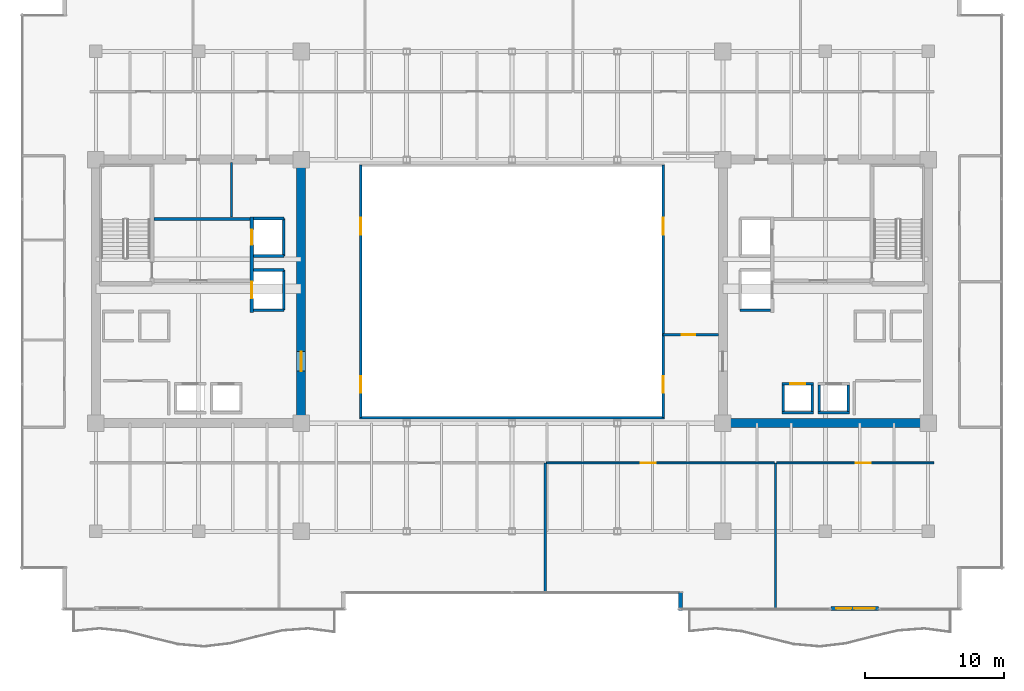
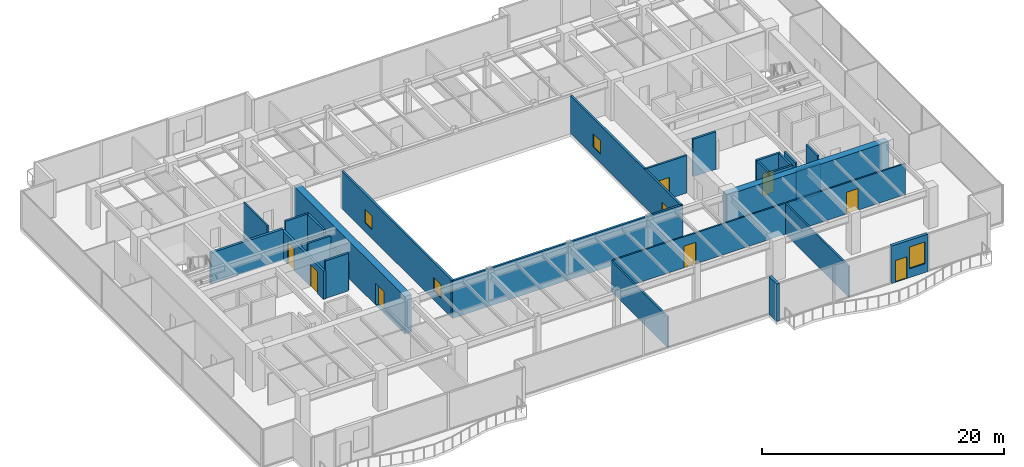
# One storey, part 24 of 30: 29 walls, 8 doors, 5 windows, 13 openings.
"""IFC4 building model written with IfcOpenShell, lengths in metres."""

from ifc_helpers import new_model, si_unit, direction, frame, frame_2d, origin, place, context, subcontext, project, spatial, rectangle, extrude, source, transform, mapped, material, layer, layer_set, type_object, type_shapes, element, fill, save


model = new_model("IFC4")

# Units and contexts
model_context = context("Model", 3, precision=1e-05, world=origin(), true_north=direction((0.0, 1.0)))
body_context = subcontext(model_context, "Body", "Model", "MODEL_VIEW")
ifc_project = project(units=[si_unit("LENGTHUNIT", "METRE"), si_unit("AREAUNIT", "SQUARE_METRE"), si_unit("VOLUMEUNIT", "CUBIC_METRE"), si_unit("PLANEANGLEUNIT", "RADIAN"), si_unit("MASSUNIT", "GRAM", prefix="KILO")], contexts=[model_context])

# Site, building, storey
site_placement = place(None, origin())
site = spatial("IfcSite", under=ifc_project, at=site_placement, CompositionType="ELEMENT")
building_placement = place(site_placement, origin())
building = spatial("IfcBuilding", under=site, at=building_placement, Name="Haelvirn Gate Laboratories", CompositionType="ELEMENT")
storey_placement = place(building_placement, frame((0.0, 0.0, 113.300048828125)))
storey = spatial("IfcBuildingStorey", under=building, at=storey_placement, Name="L27", CompositionType="ELEMENT", Elevation=113.300048828125)

# Wall, openings, door, window
ifc_material_1 = material(Name="Thermally-broken bronze aluminium rainscreen & mineral wool", Category="aluminium")
ifc_layer_1 = layer(ifc_material_1, 0.280029296875, Name="EW-TERR-280")
ifc_layer_set_1 = layer_set([ifc_layer_1], Name="Thermally-broken bronze aluminium rainscreen & mineral wool")
wall_type_1 = type_object("IfcWallType", Name="EW-TERR-280", PredefinedType="STANDARD", material=ifc_layer_set_1)
wall_1_placement = place(storey_placement, frame((60.382080078125, 1.43994140625, 0.0), z_axis=(0.0, 0.0, 1.0), x_axis=(1.0, 0.0, 0.0)))
wall_1 = element("IfcWall", 1, at=wall_1_placement, inside=storey, type_object=wall_type_1, Name="L27 Terrace Access Wall WB-EL-S", PredefinedType="STANDARD", context=body_context, shape_type="SweptSolid", body=[
    extrude(rectangle(XDim=3.455810546875, YDim=0.280029296875, at=frame_2d((1.72802734375, 0.0))), origin(), (0.0, 0.0, 1.0), 3.7900390625),
])
opening_1_placement = place(wall_1_placement, frame((0.3779296875, 0.0, 0.0)))
opening_1 = element("IfcOpeningElement", 2, at=opening_1_placement, cuts=wall_1, Name="Opening TD1", PredefinedType="OPENING", context=body_context, shape_type="SweptSolid", body=[
    extrude(rectangle(XDim=1.10009765625, YDim=2.199951171875, at=frame_2d((0.550048828125, 1.10009765625))), frame((0.0, 0.14990234375, 0.0), z_axis=(0.0, -1.0, 0.0), x_axis=(1.0, 0.0, 0.0)), (0.0, 0.0, 1.0), 0.300048828125),
])
opening_2_placement = place(wall_1_placement, frame((1.677978515625, 0.0, 0.89990234375)))
opening_2 = element("IfcOpeningElement", 3, at=opening_2_placement, cuts=wall_1, Name="Opening W3", PredefinedType="OPENING", context=body_context, shape_type="SweptSolid", body=[
    extrude(rectangle(XDim=1.5, YDim=2.199951171875, at=frame_2d((0.75, 1.10009765625))), frame((0.0, 0.14990234375, 0.0), z_axis=(0.0, -1.0, 0.0), x_axis=(1.0, 0.0, 0.0)), (0.0, 0.0, 1.0), 0.300048828125),
])
ifc_material_2 = material(Name="Thermally-broken bronze aluminium glazed terrace door", Category="aluminium")
door_type_1 = type_object("IfcDoorType", Name="DR-TERR-1100", OperationType="NOTDEFINED", PredefinedType="DOOR", material=ifc_material_2)
shared_shape_1 = source(origin(), body_context, "Body", "SweptSolid", [
    extrude(rectangle(XDim=1.10009765625, YDim=2.199951171875, at=frame_2d((0.550048828125, 1.10009765625))), frame((0.0, 0.02490234375, 0.0), z_axis=(0.0, -1.0, 0.0), x_axis=(1.0, 0.0, 0.0)), (0.0, 0.0, 1.0), 0.050048828125),
])
type_shapes(door_type_1, [shared_shape_1])
door_1_placement = place(opening_1_placement, origin())
door_1 = element("IfcDoor", 4, at=door_1_placement, inside=storey, type_object=door_type_1, Name="L27 Terrace Access Door WB-EL-S", OperationType="SINGLE_SWING_LEFT", OverallHeight=2.199951171875, OverallWidth=1.10009765625, PredefinedType="DOOR", context=body_context, shape_type="MappedRepresentation", body=[
    mapped(shared_shape_1, transform((0.0, 0.0, 0.0), scale=1.0)),
])
fill(opening_1, door_1)
ifc_material_3 = material(Name="Bronze anodised aluminium & triple low-E glass", Category="aluminium")
window_type_1 = type_object("IfcWindowType", Name="WIN-TERR-1600", PartitioningType="SINGLE_PANEL", PredefinedType="WINDOW", material=ifc_material_3)
shared_shape_2 = source(origin(), body_context, "Body", "SweptSolid", [
    extrude(rectangle(XDim=1.5, YDim=2.199951171875, at=frame_2d((0.75, 1.10009765625))), frame((0.0, 0.030029296875, 0.0), z_axis=(0.0, -1.0, 0.0), x_axis=(1.0, 0.0, 0.0)), (0.0, 0.0, 1.0), 0.06005859375),
])
type_shapes(window_type_1, [shared_shape_2])
window_1_placement = place(opening_2_placement, origin())
window_1 = element("IfcWindow", 5, at=window_1_placement, inside=storey, type_object=window_type_1, Name="L27 Terrace Vision Window WB-EL-S", OverallHeight=2.199951171875, OverallWidth=1.5, PartitioningType="SINGLE_PANEL", PredefinedType="WINDOW", context=body_context, shape_type="MappedRepresentation", body=[
    mapped(shared_shape_2, transform((0.0, 0.0, 0.0), scale=1.0)),
])
fill(opening_2, window_1)

# Walls
wall_2_placement = place(storey_placement, frame((49.5400390625, 2.587890625, 0.0), z_axis=(0.0, 0.0, 1.0), x_axis=(0.0, -1.0, 0.0)))
element("IfcWall", 6, at=wall_2_placement, inside=storey, type_object=wall_type_1, Name="L27 Atrium Recess Bronze Return Wall 03", PredefinedType="STANDARD", context=body_context, shape_type="SweptSolid", body=[
    extrude(rectangle(XDim=1.287841796875, YDim=0.280029296875, at=frame_2d((0.64404296875, 0.0))), origin(), (0.0, 0.0, 1.0), 3.7900390625),
])
ifc_material_4 = material(Name="Double-layer acoustic gypsum laboratory partition", Category="gypsum")
ifc_layer_2 = layer(ifc_material_4, 0.159912109375, Name="IW-ACOUST-160")
ifc_layer_set_2 = layer_set([ifc_layer_2], Name="Double-layer acoustic gypsum laboratory partition")
wall_type_2 = type_object("IfcWallType", Name="IW-ACOUST-160", PredefinedType="PARTITIONING", material=ifc_layer_set_2)
wall_3_placement = place(storey_placement, frame((39.800048828125, 2.610107421875, 0.0), z_axis=(0.0, 0.0, 1.0), x_axis=(0.0, 1.0, 0.0)))
element("IfcWall", 7, at=wall_3_placement, inside=storey, type_object=wall_type_2, Name="L27 Interior Wall IW-L27-SDIV-02", PredefinedType="PARTITIONING", context=body_context, shape_type="SweptSolid", body=[
    extrude(rectangle(XDim=9.329833984375, YDim=0.159912109375, at=frame_2d((4.6650390625, 0.0))), origin(), (0.0, 0.0, 1.0), 3.074951171875),
])
wall_4_placement = place(storey_placement, frame((56.39990234375, 1.409912109375, 0.0), z_axis=(0.0, 0.0, 1.0), x_axis=(0.0, 1.0, 0.0)))
element("IfcWall", 8, at=wall_4_placement, inside=storey, type_object=wall_type_2, Name="L27 Interior Wall IW-L27-SDIV-03", PredefinedType="PARTITIONING", context=body_context, shape_type="SweptSolid", body=[
    extrude(rectangle(XDim=10.530029296875, YDim=0.159912109375, at=frame_2d((5.26513671875, 0.0))), origin(), (0.0, 0.0, 1.0), 3.074951171875),
])

# Wall, opening, door
ifc_material_5 = material(Name="Fire-rated acoustic gypsum board partition", Category="gypsum")
ifc_layer_3 = layer(ifc_material_5, 0.175048828125, Name="IW-ACOUST-180")
ifc_layer_set_3 = layer_set([ifc_layer_3], Name="Fire-rated acoustic gypsum board partition")
wall_type_3 = type_object("IfcWallType", Name="IW-ACOUST-180", PredefinedType="PARTITIONING", material=ifc_layer_set_3)
wall_5_placement = place(storey_placement, frame((48.300048828125, 21.179931640625, 0.0), z_axis=(0.0, 0.0, 1.0), x_axis=(1.0, 0.0, 0.0)))
wall_5 = element("IfcWall", 9, at=wall_5_placement, inside=storey, type_object=wall_type_3, Name="L27 Interior Wall IW-L27-ASEM-S", PredefinedType="PARTITIONING", context=body_context, shape_type="SweptSolid", body=[
    extrude(rectangle(XDim=3.974853515625, YDim=0.175048828125, at=frame_2d((1.9873046875, 0.0))), origin(), (0.0, 0.0, 1.0), 3.7900390625),
])
opening_3_placement = place(wall_5_placement, frame((1.35009765625, 0.0, 0.0)))
opening_3 = element("IfcOpeningElement", 10, at=opening_3_placement, cuts=wall_5, Name="Opening FD4", PredefinedType="OPENING", context=body_context, shape_type="SweptSolid", body=[
    extrude(rectangle(XDim=0.949951171875, YDim=2.14990234375, at=frame_2d((0.47509765625, 1.074951171875))), frame((0.0, 0.09765625, 0.0), z_axis=(0.0, -1.0, 0.0), x_axis=(1.0, 0.0, 0.0)), (0.0, 0.0, 1.0), 0.195068359375),
])
ifc_material_6 = material(Name="Fire-rated steel SM355 core service door", Category="steel")
door_type_2 = type_object("IfcDoorType", Name="DR-FD-950", OperationType="NOTDEFINED", PredefinedType="DOOR", material=ifc_material_6)
shared_shape_3 = source(origin(), body_context, "Body", "SweptSolid", [
    extrude(rectangle(XDim=0.949951171875, YDim=2.14990234375, at=frame_2d((0.47509765625, 1.074951171875))), frame((0.0, 0.02490234375, 0.0), z_axis=(0.0, -1.0, 0.0), x_axis=(1.0, 0.0, 0.0)), (0.0, 0.0, 1.0), 0.050048828125),
])
type_shapes(door_type_2, [shared_shape_3])
door_2_placement = place(opening_3_placement, origin())
door_2 = element("IfcDoor", 11, at=door_2_placement, inside=storey, type_object=door_type_2, Name="L27 Atrium Bioinformatics Suite Door", OperationType="SINGLE_SWING_LEFT", OverallHeight=2.14990234375, OverallWidth=0.949951171875, PredefinedType="DOOR", context=body_context, shape_type="MappedRepresentation", body=[
    mapped(shared_shape_3, transform((0.0, 0.0, 0.0), scale=1.0)),
])
fill(opening_3, door_2)

# Wall, openings, windows
ifc_material_7 = material(Name="Tempered fire-rated borosilicate glass & anodised aluminium", Category="aluminium")
ifc_layer_4 = layer(ifc_material_7, 0.195068359375, Name="IW-GLAZ-200")
ifc_layer_set_4 = layer_set([ifc_layer_4], Name="Tempered fire-rated borosilicate glass & anodised aluminium")
wall_type_4 = type_object("IfcWallType", Name="IW-GLAZ-200", PredefinedType="SOLIDWALL", material=ifc_layer_set_4)
wall_6_placement = place(storey_placement, frame((26.5, 15.199951171875, 0.0), z_axis=(0.0, 0.0, 1.0), x_axis=(0.0, 1.0, 0.0)))
wall_6 = element("IfcWall", 12, at=wall_6_placement, inside=storey, type_object=wall_type_4, Name="L27 Interior Wall IW-L27-ATRIUM-W", PredefinedType="SOLIDWALL", context=body_context, shape_type="SweptSolid", body=[
    extrude(rectangle(XDim=18.199951171875, YDim=0.195068359375, at=frame_2d((9.10009765625, 0.0))), origin(), (0.0, 0.0, 1.0), 3.7900390625),
])
opening_4_placement = place(wall_6_placement, frame((1.800048828125, 0.0, 0.89990234375)))
opening_4 = element("IfcOpeningElement", 13, at=opening_4_placement, cuts=wall_6, Name="Opening W6", PredefinedType="OPENING", context=body_context, shape_type="SweptSolid", body=[
    extrude(rectangle(XDim=1.199951171875, YDim=1.35009765625, at=frame_2d((0.60009765625, 0.675048828125))), frame((0.0, 0.107421875, 0.0), z_axis=(0.0, -1.0, 0.0), x_axis=(1.0, 0.0, 0.0)), (0.0, 0.0, 1.0), 0.215087890625),
])
opening_5_placement = place(wall_6_placement, frame((13.199951171875, 0.0, 0.89990234375)))
opening_5 = element("IfcOpeningElement", 14, at=opening_5_placement, cuts=wall_6, Name="Opening W6", PredefinedType="OPENING", context=body_context, shape_type="SweptSolid", body=[
    extrude(rectangle(XDim=1.199951171875, YDim=1.35009765625, at=frame_2d((0.60009765625, 0.675048828125))), frame((0.0, 0.107421875, 0.0), z_axis=(0.0, -1.0, 0.0), x_axis=(1.0, 0.0, 0.0)), (0.0, 0.0, 1.0), 0.215087890625),
])
ifc_material_8 = material(Name="Fire-rated EI 120 borosilicate atrium vision glazing", Category="glass")
window_type_2 = type_object("IfcWindowType", Name="WN-ATR-1200", PartitioningType="SINGLE_PANEL", PredefinedType="WINDOW", material=ifc_material_8)
shared_shape_4 = source(origin(), body_context, "Body", "SweptSolid", [
    extrude(rectangle(XDim=1.199951171875, YDim=1.35009765625, at=frame_2d((0.60009765625, 0.675048828125))), frame((0.0, 0.030029296875, 0.0), z_axis=(0.0, -1.0, 0.0), x_axis=(1.0, 0.0, 0.0)), (0.0, 0.0, 1.0), 0.06005859375),
])
type_shapes(window_type_2, [shared_shape_4])
window_2_placement = place(opening_4_placement, origin())
window_2 = element("IfcWindow", 15, at=window_2_placement, inside=storey, type_object=window_type_2, Name="L27 Atrium Observation Window 1", OverallHeight=1.35009765625, OverallWidth=1.199951171875, PartitioningType="SINGLE_PANEL", PredefinedType="WINDOW", context=body_context, shape_type="MappedRepresentation", body=[
    mapped(shared_shape_4, transform((0.0, 0.0, 0.0), scale=1.0)),
])
fill(opening_4, window_2)
window_3_placement = place(opening_5_placement, origin())
window_3 = element("IfcWindow", 16, at=window_3_placement, inside=storey, type_object=window_type_2, Name="L27 Atrium Observation Window 2", OverallHeight=1.35009765625, OverallWidth=1.199951171875, PartitioningType="SINGLE_PANEL", PredefinedType="WINDOW", context=body_context, shape_type="MappedRepresentation", body=[
    mapped(shared_shape_4, transform((0.0, 0.0, 0.0), scale=1.0)),
])
fill(opening_5, window_3)

wall_7_placement = place(storey_placement, frame((48.300048828125, 15.199951171875, 0.0), z_axis=(0.0, 0.0, 1.0), x_axis=(0.0, 1.0, 0.0)))
wall_7 = element("IfcWall", 17, at=wall_7_placement, inside=storey, type_object=wall_type_4, Name="L27 Interior Wall IW-L27-ATRIUM-E", PredefinedType="SOLIDWALL", context=body_context, shape_type="SweptSolid", body=[
    extrude(rectangle(XDim=18.199951171875, YDim=0.195068359375, at=frame_2d((9.10009765625, 0.0))), origin(), (0.0, 0.0, 1.0), 3.7900390625),
])
opening_6_placement = place(wall_7_placement, frame((1.800048828125, 0.0, 0.89990234375)))
opening_6 = element("IfcOpeningElement", 18, at=opening_6_placement, cuts=wall_7, Name="Opening W6", PredefinedType="OPENING", context=body_context, shape_type="SweptSolid", body=[
    extrude(rectangle(XDim=1.199951171875, YDim=1.35009765625, at=frame_2d((0.60009765625, 0.675048828125))), frame((0.0, 0.107421875, 0.0), z_axis=(0.0, -1.0, 0.0), x_axis=(1.0, 0.0, 0.0)), (0.0, 0.0, 1.0), 0.215087890625),
])
opening_7_placement = place(wall_7_placement, frame((13.199951171875, 0.0, 0.89990234375)))
opening_7 = element("IfcOpeningElement", 19, at=opening_7_placement, cuts=wall_7, Name="Opening W6", PredefinedType="OPENING", context=body_context, shape_type="SweptSolid", body=[
    extrude(rectangle(XDim=1.199951171875, YDim=1.35009765625, at=frame_2d((0.60009765625, 0.675048828125))), frame((0.0, 0.107421875, 0.0), z_axis=(0.0, -1.0, 0.0), x_axis=(1.0, 0.0, 0.0)), (0.0, 0.0, 1.0), 0.215087890625),
])
window_4_placement = place(opening_6_placement, origin())
window_4 = element("IfcWindow", 20, at=window_4_placement, inside=storey, type_object=window_type_2, Name="L27 Atrium Observation Window 1", OverallHeight=1.35009765625, OverallWidth=1.199951171875, PartitioningType="SINGLE_PANEL", PredefinedType="WINDOW", context=body_context, shape_type="MappedRepresentation", body=[
    mapped(shared_shape_4, transform((0.0, 0.0, 0.0), scale=1.0)),
])
fill(opening_6, window_4)
window_5_placement = place(opening_7_placement, origin())
window_5 = element("IfcWindow", 21, at=window_5_placement, inside=storey, type_object=window_type_2, Name="L27 Atrium Observation Window 2", OverallHeight=1.35009765625, OverallWidth=1.199951171875, PartitioningType="SINGLE_PANEL", PredefinedType="WINDOW", context=body_context, shape_type="MappedRepresentation", body=[
    mapped(shared_shape_4, transform((0.0, 0.0, 0.0), scale=1.0)),
])
fill(opening_7, window_5)

# Wall
wall_8_placement = place(storey_placement, frame((26.39990234375, 15.199951171875, 0.0), z_axis=(0.0, 0.0, 1.0), x_axis=(1.0, 0.0, 0.0)))
element("IfcWall", 22, at=wall_8_placement, inside=storey, type_object=wall_type_4, Name="L27 Interior Wall IW-L27-ATRIUM-S", PredefinedType="SOLIDWALL", context=body_context, shape_type="SweptSolid", body=[
    extrude(rectangle(XDim=22.0, YDim=0.195068359375, at=frame_2d((11.0, 0.0))), origin(), (0.0, 0.0, 1.0), 3.7900390625),
])

# Wall, opening, door
ifc_material_9 = material(Name="Acoustic mineral-wool gypsum board partition", Category="gypsum")
ifc_layer_5 = layer(ifc_material_9, 0.139892578125, Name="IW-PART-140")
ifc_layer_set_5 = layer_set([ifc_layer_5], Name="Acoustic mineral-wool gypsum board partition")
wall_type_5 = type_object("IfcWallType", Name="IW-PART-140", PredefinedType="PARTITIONING", material=ifc_layer_set_5)
wall_9_placement = place(storey_placement, frame((39.8798828125, 11.93994140625, 0.0), z_axis=(0.0, 0.0, 1.0), x_axis=(1.0, 0.0, 0.0)))
wall_9 = element("IfcWall", 23, at=wall_9_placement, inside=storey, type_object=wall_type_5, Name="L27 Interior Wall IW-L27-SCORR-03", PredefinedType="PARTITIONING", context=body_context, shape_type="SweptSolid", body=[
    extrude(rectangle(XDim=16.440185546875, YDim=0.139892578125, at=frame_2d((8.22021484375, 0.0))), origin(), (0.0, 0.0, 1.0), 3.125),
])
opening_8_placement = place(wall_9_placement, frame((6.79150390625, 0.0, 0.0)))
opening_8 = element("IfcOpeningElement", 24, at=opening_8_placement, cuts=wall_9, Name="Opening D1", PredefinedType="OPENING", context=body_context, shape_type="SweptSolid", body=[
    extrude(rectangle(XDim=1.10009765625, YDim=2.179931640625, at=frame_2d((0.550048828125, 1.08984375))), frame((0.0, 0.080078125, 0.0), z_axis=(0.0, -1.0, 0.0), x_axis=(1.0, 0.0, 0.0)), (0.0, 0.0, 1.0), 0.159912109375),
])
ifc_material_10 = material(Name="Vision-panel acoustic solid-core timber lab door", Category="wood")
door_type_3 = type_object("IfcDoorType", Name="DR-LAB-1100", OperationType="NOTDEFINED", PredefinedType="DOOR", material=ifc_material_10)
shared_shape_5 = source(origin(), body_context, "Body", "SweptSolid", [
    extrude(rectangle(XDim=1.10009765625, YDim=2.179931640625, at=frame_2d((0.550048828125, 1.08984375))), frame((0.0, 0.02490234375, 0.0), z_axis=(0.0, -1.0, 0.0), x_axis=(1.0, 0.0, 0.0)), (0.0, 0.0, 1.0), 0.050048828125),
])
type_shapes(door_type_3, [shared_shape_5])
door_3_placement = place(opening_8_placement, origin())
door_3 = element("IfcDoor", 25, at=door_3_placement, inside=storey, type_object=door_type_3, Name="L27 Analytical Instrument Suite Door S3", OperationType="SINGLE_SWING_RIGHT", OverallHeight=2.179931640625, OverallWidth=1.10009765625, PredefinedType="DOOR", context=body_context, shape_type="MappedRepresentation", body=[
    mapped(shared_shape_5, transform((0.0, 0.0, 0.0), scale=1.0)),
])
fill(opening_8, door_3)

wall_10_placement = place(storey_placement, frame((56.47998046875, 11.93994140625, 0.0), z_axis=(0.0, 0.0, 1.0), x_axis=(1.0, 0.0, 0.0)))
wall_10 = element("IfcWall", 26, at=wall_10_placement, inside=storey, type_object=wall_type_5, Name="L27 Interior Wall IW-L27-SCORR-04", PredefinedType="PARTITIONING", context=body_context, shape_type="SweptSolid", body=[
    extrude(rectangle(XDim=11.340087890625, YDim=0.139892578125, at=frame_2d((5.669921875, 0.0))), origin(), (0.0, 0.0, 1.0), 3.125),
])
opening_9_placement = place(wall_10_placement, frame((5.6923828125, 0.0, 0.0)))
opening_9 = element("IfcOpeningElement", 27, at=opening_9_placement, cuts=wall_10, Name="Opening D1", PredefinedType="OPENING", context=body_context, shape_type="SweptSolid", body=[
    extrude(rectangle(XDim=1.10009765625, YDim=2.179931640625, at=frame_2d((0.550048828125, 1.08984375))), frame((0.0, 0.080078125, 0.0), z_axis=(0.0, -1.0, 0.0), x_axis=(1.0, 0.0, 0.0)), (0.0, 0.0, 1.0), 0.159912109375),
])
door_4_placement = place(opening_9_placement, origin())
door_4 = element("IfcDoor", 28, at=door_4_placement, inside=storey, type_object=door_type_3, Name="L27 Cleanroom Metrology Suite Door S4", OperationType="SINGLE_SWING_LEFT", OverallHeight=2.179931640625, OverallWidth=1.10009765625, PredefinedType="DOOR", context=body_context, shape_type="MappedRepresentation", body=[
    mapped(shared_shape_5, transform((0.0, 0.0, 0.0), scale=1.0)),
])
fill(opening_9, door_4)

# Walls
ifc_material_11 = material(Name="Cement-board restroom plumbing chase wall", Category="gypsum")
ifc_layer_6 = layer(ifc_material_11, 0.155029296875, Name="IW-PLUMB-160")
ifc_layer_set_6 = layer_set([ifc_layer_6], Name="Cement-board restroom plumbing chase wall")
wall_type_6 = type_object("IfcWallType", Name="IW-PLUMB-160", PredefinedType="PLUMBINGWALL", material=ifc_layer_set_6)
wall_11_placement = place(storey_placement, frame((17.18994140625, 29.64990234375, 0.0), z_axis=(0.0, 0.0, 1.0), x_axis=(0.0, 1.0, 0.0)))
element("IfcWall", 29, at=wall_11_placement, inside=storey, type_object=wall_type_6, Name="L27 Interior Wall IW-L27-W-CDIV-1", PredefinedType="PLUMBINGWALL", context=body_context, shape_type="SweptSolid", body=[
    extrude(rectangle(XDim=3.93017578125, YDim=0.155029296875, at=frame_2d((1.965087890625, 0.0))), origin(), (0.0, 0.0, 1.0), 3.7900390625),
])
ifc_material_12 = material(Name="Concrete C40/50", Category="concrete")
ifc_layer_7 = layer(ifc_material_12, 0.179931640625, Name="IW-SHAFT-180")
ifc_layer_set_7 = layer_set([ifc_layer_7], Name="Concrete C40/50")
wall_type_7 = type_object("IfcWallType", Name="IW-SHAFT-180", PredefinedType="SOLIDWALL", material=ifc_layer_set_7)
for number, where, z_axis, x_axis, name in (
    (30, (59.550048828125, 15.64990234375, 0.0), (0.0, 0.0, 1.0), (0.0, 1.0, 0.0), "L27 Interior Wall IW-L27-PL7-SD"),
    (31, (61.64990234375, 15.64990234375, 0.0), (0.0, 0.0, 1.0), (0.0, 1.0, 0.0), "L27 Interior Wall IW-L27-PL7-SDE"),
    (32, (56.949951171875, 15.64990234375, 0.0), (0.0, 0.0, 1.0), (0.0, 1.0, 0.0), "L27 Interior Wall IW-L27-PL8-SD"),
    (33, (59.050048828125, 15.64990234375, 0.0), (0.0, 0.0, 1.0), (0.0, 1.0, 0.0), "L27 Interior Wall IW-L27-PL8-SDE"),
):
    element("IfcWall", number, at=place(storey_placement, frame(where, z_axis=z_axis, x_axis=x_axis)), inside=storey, type_object=wall_type_7, Name=name, PredefinedType="SOLIDWALL", context=body_context, shape_type="SweptSolid", body=[
        extrude(rectangle(XDim=1.900146484375, YDim=0.179931640625, at=frame_2d((0.9501953125, 0.0))), origin(), (0.0, 0.0, 1.0), 3.7900390625),
    ])
ifc_layer_8 = layer(ifc_material_12, 0.199951171875, Name="IW-SHAFT-200")
ifc_layer_set_8 = layer_set([ifc_layer_8], Name="Concrete C40/50")
wall_type_8 = type_object("IfcWallType", Name="IW-SHAFT-200", PredefinedType="SOLIDWALL", material=ifc_layer_set_8)
wall_12_placement = place(storey_placement, frame((20.949951171875, 26.85009765625, 0.0), z_axis=(0.0, 0.0, 1.0), x_axis=(0.0, 1.0, 0.0)))
element("IfcWall", 34, at=wall_12_placement, inside=storey, type_object=wall_type_8, Name="L27 Interior Wall IW-L27-FL1-BK", PredefinedType="SOLIDWALL", context=body_context, shape_type="SweptSolid", body=[
    extrude(rectangle(XDim=2.699951171875, YDim=0.199951171875, at=frame_2d((1.35009765625, 0.0))), origin(), (0.0, 0.0, 1.0), 3.7900390625),
])
wall_13_placement = place(storey_placement, frame((18.760009765625, 29.550048828125, 0.0), z_axis=(0.0, 0.0, 1.0), x_axis=(1.0, 0.0, 0.0)))
element("IfcWall", 35, at=wall_13_placement, inside=storey, type_object=wall_type_8, Name="L27 Interior Wall IW-L27-FL1-N", PredefinedType="SOLIDWALL", context=body_context, shape_type="SweptSolid", body=[
    extrude(rectangle(XDim=2.18994140625, YDim=0.199951171875, at=frame_2d((1.094970703125, 0.0))), origin(), (0.0, 0.0, 1.0), 3.7900390625),
])
wall_14_placement = place(storey_placement, frame((18.760009765625, 26.85009765625, 0.0), z_axis=(0.0, 0.0, 1.0), x_axis=(1.0, 0.0, 0.0)))
element("IfcWall", 36, at=wall_14_placement, inside=storey, type_object=wall_type_8, Name="L27 Interior Wall IW-L27-FL1-S", PredefinedType="SOLIDWALL", context=body_context, shape_type="SweptSolid", body=[
    extrude(rectangle(XDim=2.18994140625, YDim=0.199951171875, at=frame_2d((1.094970703125, 0.0))), origin(), (0.0, 0.0, 1.0), 3.18701171875),
])
wall_15_placement = place(storey_placement, frame((20.949951171875, 22.949951171875, 0.0), z_axis=(0.0, 0.0, 1.0), x_axis=(0.0, 1.0, 0.0)))
element("IfcWall", 37, at=wall_15_placement, inside=storey, type_object=wall_type_8, Name="L27 Interior Wall IW-L27-SL1-BK", PredefinedType="SOLIDWALL", context=body_context, shape_type="SweptSolid", body=[
    extrude(rectangle(XDim=2.900146484375, YDim=0.199951171875, at=frame_2d((1.4501953125, 0.0))), origin(), (0.0, 0.0, 1.0), 2.875),
])
for number, where, z_axis, x_axis, name in (
    (38, (18.760009765625, 25.85009765625, 0.0), (0.0, 0.0, 1.0), (1.0, 0.0, 0.0), "L27 Interior Wall IW-L27-SL1-N"),
    (39, (18.760009765625, 22.949951171875, 0.0), (0.0, 0.0, 1.0), (1.0, 0.0, 0.0), "L27 Interior Wall IW-L27-SL1-S"),
):
    element("IfcWall", number, at=place(storey_placement, frame(where, z_axis=z_axis, x_axis=x_axis)), inside=storey, type_object=wall_type_8, Name=name, PredefinedType="SOLIDWALL", context=body_context, shape_type="SweptSolid", body=[
        extrude(rectangle(XDim=2.18994140625, YDim=0.199951171875, at=frame_2d((1.094970703125, 0.0))), origin(), (0.0, 0.0, 1.0), 3.7900390625),
    ])
wall_16_placement = place(storey_placement, frame((59.469970703125, 15.550048828125, 0.0), z_axis=(0.0, 0.0, 1.0), x_axis=(1.0, 0.0, 0.0)))
element("IfcWall", 40, at=wall_16_placement, inside=storey, type_object=wall_type_8, Name="L27 Interior Wall IW-L27-PL7-BK", PredefinedType="SOLIDWALL", context=body_context, shape_type="SweptSolid", body=[
    extrude(rectangle(XDim=2.260009765625, YDim=0.199951171875, at=frame_2d((1.1298828125, 0.0))), origin(), (0.0, 0.0, 1.0), 3.125),
])

# Wall, opening, door
wall_17_placement = place(storey_placement, frame((56.8701171875, 17.64990234375, 0.0), z_axis=(0.0, 0.0, 1.0), x_axis=(1.0, 0.0, 0.0)))
wall_17 = element("IfcWall", 41, at=wall_17_placement, inside=storey, type_object=wall_type_8, Name="L27 Interior Wall IW-L27-PL8-FR", PredefinedType="SOLIDWALL", context=body_context, shape_type="SweptSolid", body=[
    extrude(rectangle(XDim=2.259765625, YDim=0.199951171875, at=frame_2d((1.1298828125, 0.0))), origin(), (0.0, 0.0, 1.0), 3.7900390625),
])
opening_10_placement = place(wall_17_placement, frame((0.580078125, 0.0, 0.0)))
opening_10 = element("IfcOpeningElement", 42, at=opening_10_placement, cuts=wall_17, Name="Opening LD2", PredefinedType="OPENING", context=body_context, shape_type="SweptSolid", body=[
    extrude(rectangle(XDim=1.10009765625, YDim=2.219970703125, at=frame_2d((0.550048828125, 1.10986328125))), frame((0.0, 0.10986328125, 0.0), z_axis=(0.0, -1.0, 0.0), x_axis=(1.0, 0.0, 0.0)), (0.0, 0.0, 1.0), 0.219970703125),
])
ifc_material_13 = material(Name="Bronze stainless 316L sliding lift landing door")
door_type_4 = type_object("IfcDoorType", Name="DR-LD-1100", OperationType="NOTDEFINED", PredefinedType="USERDEFINED", material=ifc_material_13)
shared_shape_6 = source(origin(), body_context, "Body", "SweptSolid", [
    extrude(rectangle(XDim=1.10009765625, YDim=2.219970703125, at=frame_2d((0.550048828125, 1.10986328125))), frame((0.0, 0.02490234375, 0.0), z_axis=(0.0, -1.0, 0.0), x_axis=(1.0, 0.0, 0.0)), (0.0, 0.0, 1.0), 0.050048828125),
])
type_shapes(door_type_4, [shared_shape_6])
door_5_placement = place(opening_10_placement, origin())
door_5 = element("IfcDoor", 43, at=door_5_placement, inside=storey, type_object=door_type_4, Name="L27 Passenger Lift PL8 Landing Door", ObjectType="LANDING_DOOR", OperationType="SLIDING_TO_RIGHT", OverallHeight=2.219970703125, OverallWidth=1.10009765625, PredefinedType="USERDEFINED", context=body_context, shape_type="MappedRepresentation", body=[
    mapped(shared_shape_6, transform((0.0, 0.0, 0.0), scale=1.0)),
])
fill(opening_10, door_5)

# Walls
wall_18_placement = place(storey_placement, frame((56.8701171875, 15.550048828125, 0.0), z_axis=(0.0, 0.0, 1.0), x_axis=(1.0, 0.0, 0.0)))
element("IfcWall", 44, at=wall_18_placement, inside=storey, type_object=wall_type_8, Name="L27 Interior Wall IW-L27-PL8-BK", PredefinedType="SOLIDWALL", context=body_context, shape_type="SweptSolid", body=[
    extrude(rectangle(XDim=2.259765625, YDim=0.199951171875, at=frame_2d((1.1298828125, 0.0))), origin(), (0.0, 0.0, 1.0), 3.7900390625),
])
wall_19_placement = place(storey_placement, frame((53.85009765625, 22.949951171875, 0.0), z_axis=(0.0, 0.0, 1.0), x_axis=(1.0, 0.0, 0.0)))
element("IfcWall", 45, at=wall_19_placement, inside=storey, type_object=wall_type_8, Name="L27 Interior Wall IW-L27-SL2-S", PredefinedType="SOLIDWALL", context=body_context, shape_type="SweptSolid", body=[
    extrude(rectangle(XDim=2.18994140625, YDim=0.199951171875, at=frame_2d((1.094970703125, 0.0))), origin(), (0.0, 0.0, 1.0), 3.7900390625),
])
ifc_layer_9 = layer(ifc_material_12, 0.239990234375, Name="IW-SHAFT-240")
ifc_layer_set_9 = layer_set([ifc_layer_9], Name="Concrete C40/50")
wall_type_9 = type_object("IfcWallType", Name="IW-SHAFT-240", PredefinedType="SOLIDWALL", material=ifc_layer_set_9)
wall_20_placement = place(storey_placement, frame((11.60009765625, 29.52001953125, 0.0), z_axis=(0.0, 0.0, 1.0), x_axis=(1.0, 0.0, 0.0)))
element("IfcWall", 46, at=wall_20_placement, inside=storey, type_object=wall_type_9, Name="L27 Interior Wall IW-L27-W-FF-N", PredefinedType="SOLIDWALL", context=body_context, shape_type="SweptSolid", body=[
    extrude(rectangle(XDim=6.919921875, YDim=0.239990234375, at=frame_2d((3.4599609375, 0.0))), origin(), (0.0, 0.0, 1.0), 3.125),
])

# Wall, openings, doors
wall_21_placement = place(storey_placement, frame((18.639892578125, 22.800048828125, 0.0), z_axis=(0.0, 0.0, 1.0), x_axis=(0.0, 1.0, 0.0)))
wall_21 = element("IfcWall", 47, at=wall_21_placement, inside=storey, type_object=wall_type_9, Name="L27 Interior Wall IW-L27-W-FF-E", PredefinedType="SOLIDWALL", context=body_context, shape_type="SweptSolid", body=[
    extrude(rectangle(XDim=6.849853515625, YDim=0.239990234375, at=frame_2d((3.4248046875, 0.0))), origin(), (0.0, 0.0, 1.0), 2.875),
])
opening_11_placement = place(wall_21_placement, frame((4.85009765625, 0.0, 0.0)))
opening_11 = element("IfcOpeningElement", 48, at=opening_11_placement, cuts=wall_21, Name="Opening LD2", PredefinedType="OPENING", context=body_context, shape_type="SweptSolid", body=[
    extrude(rectangle(XDim=1.10009765625, YDim=2.219970703125, at=frame_2d((0.550048828125, 1.10986328125))), frame((0.0, 0.1298828125, 0.0), z_axis=(0.0, -1.0, 0.0), x_axis=(1.0, 0.0, 0.0)), (0.0, 0.0, 1.0), 0.260009765625),
])
opening_12_placement = place(wall_21_placement, frame((1.0, 0.0, 0.0)))
opening_12 = element("IfcOpeningElement", 49, at=opening_12_placement, cuts=wall_21, Name="Opening LD1", PredefinedType="OPENING", context=body_context, shape_type="SweptSolid", body=[
    extrude(rectangle(XDim=1.199951171875, YDim=2.219970703125, at=frame_2d((0.60009765625, 1.10986328125))), frame((0.0, 0.1298828125, 0.0), z_axis=(0.0, -1.0, 0.0), x_axis=(1.0, 0.0, 0.0)), (0.0, 0.0, 1.0), 0.260009765625),
])
door_6_placement = place(opening_11_placement, origin())
door_6 = element("IfcDoor", 50, at=door_6_placement, inside=storey, type_object=door_type_4, Name="L27 Firefighting Lift FL1 Landing Door", ObjectType="LANDING_DOOR", OperationType="SLIDING_TO_LEFT", OverallHeight=2.219970703125, OverallWidth=1.10009765625, PredefinedType="USERDEFINED", context=body_context, shape_type="MappedRepresentation", body=[
    mapped(shared_shape_6, transform((0.0, 0.0, 0.0), scale=1.0)),
])
fill(opening_11, door_6)
ifc_material_14 = material(Name="Stainless steel 316L sliding goods landing door", Category="steel")
door_type_5 = type_object("IfcDoorType", Name="DR-LD-1200", OperationType="NOTDEFINED", PredefinedType="USERDEFINED", material=ifc_material_14)
shared_shape_7 = source(origin(), body_context, "Body", "SweptSolid", [
    extrude(rectangle(XDim=1.199951171875, YDim=2.219970703125, at=frame_2d((0.60009765625, 1.10986328125))), frame((0.0, 0.02490234375, 0.0), z_axis=(0.0, -1.0, 0.0), x_axis=(1.0, 0.0, 0.0)), (0.0, 0.0, 1.0), 0.050048828125),
])
type_shapes(door_type_5, [shared_shape_7])
door_7_placement = place(opening_12_placement, origin())
door_7 = element("IfcDoor", 51, at=door_7_placement, inside=storey, type_object=door_type_5, Name="L27 Service Lift SL1 Landing Door", ObjectType="LANDING_DOOR", OperationType="SLIDING_TO_RIGHT", OverallHeight=2.219970703125, OverallWidth=1.199951171875, PredefinedType="USERDEFINED", context=body_context, shape_type="MappedRepresentation", body=[
    mapped(shared_shape_7, transform((0.0, 0.0, 0.0), scale=1.0)),
])
fill(opening_12, door_7)

# Wall, opening, door
ifc_material_15 = material(Name="Concrete C60/75", Category="concrete")
ifc_layer_10 = layer(ifc_material_15, 0.64990234375, Name="SW-CORE-650")
ifc_layer_set_10 = layer_set([ifc_layer_10], Name="Concrete C60/75")
wall_type_10 = type_object("IfcWallType", Name="SW-CORE-650", PredefinedType="SHEAR", material=ifc_layer_set_10)
wall_22_placement = place(storey_placement, frame((22.199951171875, 15.125, 0.0), z_axis=(0.0, 0.0, 1.0), x_axis=(0.0, 1.0, 0.0)))
wall_22 = element("IfcWall", 52, at=wall_22_placement, inside=storey, type_object=wall_type_10, Name="L27 W Core Shear Wall E", PredefinedType="SHEAR", context=body_context, shape_type="SweptSolid", body=[
    extrude(rectangle(XDim=18.35009765625, YDim=0.64990234375, at=frame_2d((9.175048828125, 0.0))), origin(), (0.0, 0.0, 1.0), 3.7900390625),
])
opening_13_placement = place(wall_22_placement, frame((3.425048828125, 0.0, 0.0)))
opening_13 = element("IfcOpeningElement", 53, at=opening_13_placement, cuts=wall_22, Name="Opening FD1", PredefinedType="OPENING", context=body_context, shape_type="SweptSolid", body=[
    extrude(rectangle(XDim=1.419921875, YDim=2.199951171875, at=frame_2d((0.7099609375, 1.10009765625))), frame((0.0, 0.3349609375, 0.0), z_axis=(0.0, -1.0, 0.0), x_axis=(1.0, 0.0, 0.0)), (0.0, 0.0, 1.0), 0.669921875),
])
ifc_material_16 = material(Name="Fire-rated double steel SM355 lobby door", Category="steel")
door_type_6 = type_object("IfcDoorType", Name="DR-FD-1400", OperationType="NOTDEFINED", PredefinedType="DOOR", material=ifc_material_16)
shared_shape_8 = source(origin(), body_context, "Body", "SweptSolid", [
    extrude(rectangle(XDim=1.419921875, YDim=2.199951171875, at=frame_2d((0.7099609375, 1.10009765625))), frame((0.0, 0.02490234375, 0.0), z_axis=(0.0, -1.0, 0.0), x_axis=(1.0, 0.0, 0.0)), (0.0, 0.0, 1.0), 0.050048828125),
])
type_shapes(door_type_6, [shared_shape_8])
door_8_placement = place(opening_13_placement, origin())
door_8 = element("IfcDoor", 54, at=door_8_placement, inside=storey, type_object=door_type_6, Name="L27 West Core Lift Lobby Fire Door", OperationType="DOUBLE_DOOR_SINGLE_SWING", OverallHeight=2.199951171875, OverallWidth=1.419921875, PredefinedType="DOOR", context=body_context, shape_type="MappedRepresentation", body=[
    mapped(shared_shape_8, transform((0.0, 0.0, 0.0), scale=1.0)),
])
fill(opening_13, door_8)

# Wall
wall_23_placement = place(storey_placement, frame((52.27490234375, 14.800048828125, 0.0), z_axis=(0.0, 0.0, 1.0), x_axis=(1.0, 0.0, 0.0)))
element("IfcWall", 55, at=wall_23_placement, inside=storey, type_object=wall_type_10, Name="L27 E Core Shear Wall S", PredefinedType="SHEAR", context=body_context, shape_type="SweptSolid", body=[
    extrude(rectangle(XDim=15.4501953125, YDim=0.64990234375, at=frame_2d((7.72509765625, 0.0))), origin(), (0.0, 0.0, 1.0), 3.7900390625),
])

save(model, "model.ifc")
